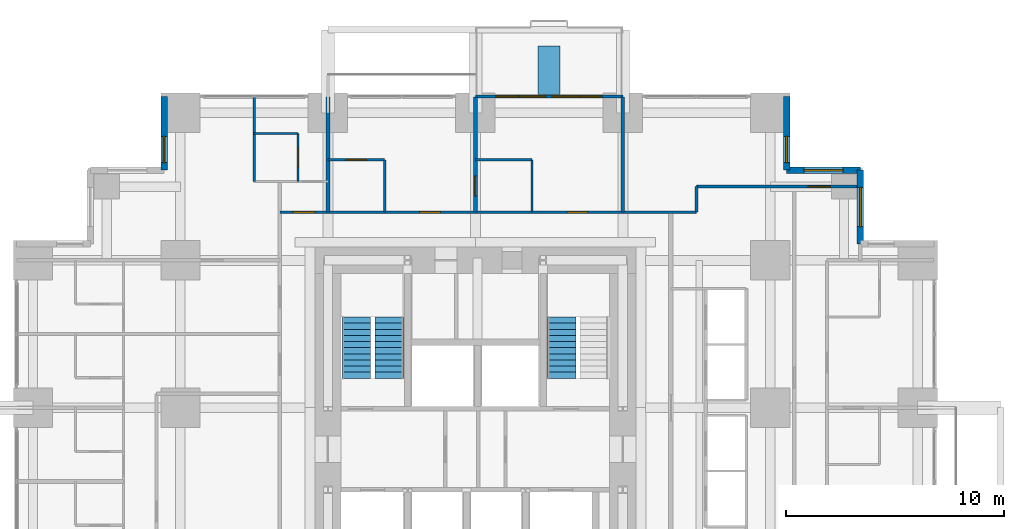
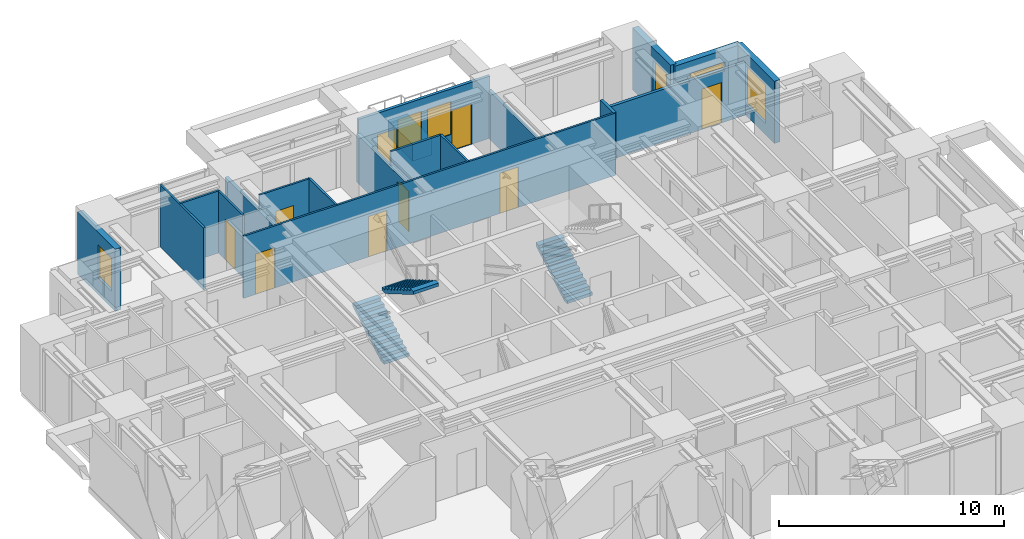
# One storey, part 11 of 13: 19 walls, 9 doors, 6 windows, 3 stair flights, 15 openings, 2 elements without a shape of their own.
"""IFC4 building model written with IfcOpenShell, lengths in metres."""

from ifc_helpers import new_model, si_unit, direction, frame, frame_2d, origin, place, context, subcontext, project, spatial, polyline, rectangle, outline, extrude, material, layer, layer_set, type_object, element, fill, aggregate, save


model = new_model("IFC4")

# Units and contexts
model_context = context("Model", 3, precision=1e-05, world=origin(), true_north=direction((0.0, 1.0)))
body_context = subcontext(model_context, "Body", "Model", "MODEL_VIEW")
ifc_project = project(units=[si_unit("LENGTHUNIT", "METRE"), si_unit("AREAUNIT", "SQUARE_METRE"), si_unit("VOLUMEUNIT", "CUBIC_METRE"), si_unit("PLANEANGLEUNIT", "RADIAN"), si_unit("MASSUNIT", "GRAM", prefix="KILO")], contexts=[model_context])

# Site, building, storey
site_placement = place(None, origin())
site = spatial("IfcSite", under=ifc_project, at=site_placement, CompositionType="ELEMENT")
building_placement = place(site_placement, origin())
building = spatial("IfcBuilding", under=site, at=building_placement, Name="Nyansa Garden Tower", CompositionType="ELEMENT")
storey_placement = place(building_placement, frame((0.0, 0.0, 105.300048828125)))
storey = spatial("IfcBuildingStorey", under=building, at=storey_placement, Name="L28", CompositionType="ELEMENT", Elevation=105.300048828125)

# Wall
ifc_material_1 = material(Name="Dense blockwork, plastered both sides, 55 dB", Category="masonry")
ifc_layer_1 = layer(ifc_material_1, 0.175048828125)
ifc_layer_set_1 = layer_set([ifc_layer_1], Name="Acoustic party wall PW175")
wall_type_1 = type_object("IfcWallType", Name="Acoustic party wall PW175", PredefinedType="PARTITIONING", material=ifc_layer_set_1)
wall_1_placement = place(storey_placement, frame((13.5, 29.199951171875, 0.0), z_axis=(0.0, 0.0, 1.0), x_axis=(0.0, 1.0, 0.0)))
element("IfcWall", 1, at=wall_1_placement, inside=storey, type_object=wall_type_1, Name="Party wall", PredefinedType="PARTITIONING", context=body_context, shape_type="SweptSolid", body=[
    extrude(rectangle(XDim=5.283935546875, YDim=0.175048828125, at=frame_2d((2.64208984375, 0.0))), origin(), (0.0, 0.0, 1.0), 2.60986328125),
])

# Wall, opening, door
wall_2_placement = place(storey_placement, frame((20.25, 29.199951171875, 0.0), z_axis=(0.0, 0.0, 1.0), x_axis=(0.0, 1.0, 0.0)))
wall_2 = element("IfcWall", 2, at=wall_2_placement, inside=storey, type_object=wall_type_1, Name="Party wall", PredefinedType="PARTITIONING", context=body_context, shape_type="SweptSolid", body=[
    extrude(rectangle(XDim=5.283935546875, YDim=0.175048828125, at=frame_2d((2.64208984375, 0.0))), origin(), (0.0, 0.0, 1.0), 2.60986328125),
])
opening_1_placement = place(wall_2_placement, frame((0.75, 0.0, 0.0)))
opening_1 = element("IfcOpeningElement", 3, at=opening_1_placement, cuts=wall_2, Name="Opening D02", PredefinedType="OPENING", context=body_context, shape_type="SweptSolid", body=[
    extrude(rectangle(XDim=0.89990234375, YDim=2.199951171875, at=frame_2d((0.449951171875, 1.10009765625))), frame((0.0, 0.097412109375, 0.0), z_axis=(0.0, -1.0, 0.0), x_axis=(1.0, 0.0, 0.0)), (0.0, 0.0, 1.0), 0.195068359375),
])
ifc_material_2 = material(Name="Timber flush door", Category="wood")
door_type_1 = type_object("IfcDoorType", Name="En-suite door D02 900x2200", OperationType="SINGLE_SWING_RIGHT", PredefinedType="DOOR", material=ifc_material_2)
door_1_placement = place(opening_1_placement, origin())
door_1 = element("IfcDoor", 4, at=door_1_placement, inside=storey, type_object=door_type_1, Name="Door L28-052", OperationType="SINGLE_SWING_RIGHT", OverallHeight=2.199951171875, OverallWidth=0.89990234375, PredefinedType="DOOR", context=body_context, shape_type="SweptSolid", body=[
    extrude(rectangle(XDim=0.89990234375, YDim=2.199951171875, at=frame_2d((0.449951171875, 1.10009765625))), frame((0.0, 0.02490234375, 0.0), z_axis=(0.0, -1.0, 0.0), x_axis=(1.0, 0.0, 0.0)), (0.0, 0.0, 1.0), 0.050048828125),
])
fill(opening_1, door_1)

# Wall, openings, doors, windows
ifc_material_3 = material(Name="Black aluminium framed glazed screen", Category="aluminium")
ifc_layer_2 = layer(ifc_material_3, 0.14990234375)
ifc_layer_set_2 = layer_set([ifc_layer_2], Name="Balcony screen wall BW150")
wall_type_2 = type_object("IfcWallType", Name="Balcony screen wall BW150", PredefinedType="SOLIDWALL", material=ifc_layer_set_2)
wall_3_placement = place(storey_placement, frame((20.25, 34.5, 0.0), z_axis=(0.0, 0.0, 1.0), x_axis=(1.0, 0.0, 0.0)))
wall_3 = element("IfcWall", 5, at=wall_3_placement, inside=storey, type_object=wall_type_2, Name="Glazed screen wall L28 N", PredefinedType="SOLIDWALL", context=body_context, shape_type="SweptSolid", body=[
    extrude(rectangle(XDim=6.75, YDim=0.14990234375, at=frame_2d((3.375, 0.0))), origin(), (0.0, 0.0, 1.0), 3.375),
])
opening_2_placement = place(wall_3_placement, frame((0.96240234375, 0.0, 0.0)))
opening_2 = element("IfcOpeningElement", 6, at=opening_2_placement, cuts=wall_3, Name="Opening D20", PredefinedType="OPENING", context=body_context, shape_type="SweptSolid", body=[
    extrude(rectangle(XDim=1.0, YDim=2.199951171875, at=frame_2d((0.5, 1.10009765625))), frame((0.0, 0.0849609375, 0.0), z_axis=(0.0, -1.0, 0.0), x_axis=(1.0, 0.0, 0.0)), (0.0, 0.0, 1.0), 0.169921875),
])
opening_3_placement = place(wall_3_placement, frame((2.02490234375, 0.0, 0.89990234375)))
opening_3 = element("IfcOpeningElement", 7, at=opening_3_placement, cuts=wall_3, Name="Opening W6", PredefinedType="OPENING", context=body_context, shape_type="SweptSolid", body=[
    extrude(rectangle(XDim=1.199951171875, YDim=1.800048828125, at=frame_2d((0.60009765625, 0.89990234375))), frame((0.0, 0.0849609375, 0.0), z_axis=(0.0, -1.0, 0.0), x_axis=(1.0, 0.0, 0.0)), (0.0, 0.0, 1.0), 0.169921875),
])
opening_4_placement = place(wall_3_placement, frame((4.78759765625, 0.0, 0.0)))
opening_4 = element("IfcOpeningElement", 8, at=opening_4_placement, cuts=wall_3, Name="Opening D20", PredefinedType="OPENING", context=body_context, shape_type="SweptSolid", body=[
    extrude(rectangle(XDim=1.0, YDim=2.199951171875, at=frame_2d((0.5, 1.10009765625))), frame((0.0, 0.0849609375, 0.0), z_axis=(0.0, -1.0, 0.0), x_axis=(1.0, 0.0, 0.0)), (0.0, 0.0, 1.0), 0.169921875),
])
opening_5_placement = place(wall_3_placement, frame((3.52490234375, 0.0, 0.89990234375)))
opening_5 = element("IfcOpeningElement", 9, at=opening_5_placement, cuts=wall_3, Name="Opening W6", PredefinedType="OPENING", context=body_context, shape_type="SweptSolid", body=[
    extrude(rectangle(XDim=1.199951171875, YDim=1.800048828125, at=frame_2d((0.60009765625, 0.89990234375))), frame((0.0, 0.0849609375, 0.0), z_axis=(0.0, -1.0, 0.0), x_axis=(1.0, 0.0, 0.0)), (0.0, 0.0, 1.0), 0.169921875),
])
ifc_material_4 = material(Name="Black aluminium framed glazed door", Category="aluminium")
door_type_2 = type_object("IfcDoorType", Name="Balcony door D20 1000x2200", OperationType="NOTDEFINED", PredefinedType="DOOR", material=ifc_material_4)
door_2_placement = place(opening_2_placement, origin())
door_2 = element("IfcDoor", 10, at=door_2_placement, inside=storey, type_object=door_type_2, Name="Balcony door L28", OperationType="SINGLE_SWING_LEFT", OverallHeight=2.199951171875, OverallWidth=1.0, PredefinedType="DOOR", context=body_context, shape_type="SweptSolid", body=[
    extrude(rectangle(XDim=1.0, YDim=2.199951171875, at=frame_2d((0.5, 1.10009765625))), frame((0.0, 0.02490234375, 0.0), z_axis=(0.0, -1.0, 0.0), x_axis=(1.0, 0.0, 0.0)), (0.0, 0.0, 1.0), 0.050048828125),
])
fill(opening_2, door_2)
door_3_placement = place(opening_4_placement, origin())
door_3 = element("IfcDoor", 11, at=door_3_placement, inside=storey, type_object=door_type_2, Name="Balcony door L28", OperationType="SINGLE_SWING_RIGHT", OverallHeight=2.199951171875, OverallWidth=1.0, PredefinedType="DOOR", context=body_context, shape_type="SweptSolid", body=[
    extrude(rectangle(XDim=1.0, YDim=2.199951171875, at=frame_2d((0.5, 1.10009765625))), frame((0.0, 0.02490234375, 0.0), z_axis=(0.0, -1.0, 0.0), x_axis=(1.0, 0.0, 0.0)), (0.0, 0.0, 1.0), 0.050048828125),
])
fill(opening_4, door_3)
ifc_material_5 = material(Name="Black aluminium frame, dark tinted double glazing", Category="aluminium")
window_type_1 = type_object("IfcWindowType", Name="Balcony window W6 1200x1800", PartitioningType="SINGLE_PANEL", PredefinedType="WINDOW", material=ifc_material_5)
window_1_placement = place(opening_3_placement, origin())
window_1 = element("IfcWindow", 12, at=window_1_placement, inside=storey, type_object=window_type_1, Name="Window L28", OverallHeight=1.800048828125, OverallWidth=1.199951171875, PartitioningType="SINGLE_PANEL", PredefinedType="WINDOW", context=body_context, shape_type="SweptSolid", body=[
    extrude(rectangle(XDim=1.199951171875, YDim=1.800048828125, at=frame_2d((0.60009765625, 0.89990234375))), frame((0.0, 0.030029296875, 0.0), z_axis=(0.0, -1.0, 0.0), x_axis=(1.0, 0.0, 0.0)), (0.0, 0.0, 1.0), 0.06005859375),
])
fill(opening_3, window_1)
window_2_placement = place(opening_5_placement, origin())
window_2 = element("IfcWindow", 13, at=window_2_placement, inside=storey, type_object=window_type_1, Name="Window L28", OverallHeight=1.800048828125, OverallWidth=1.199951171875, PartitioningType="SINGLE_PANEL", PredefinedType="WINDOW", context=body_context, shape_type="SweptSolid", body=[
    extrude(rectangle(XDim=1.199951171875, YDim=1.800048828125, at=frame_2d((0.60009765625, 0.89990234375))), frame((0.0, 0.030029296875, 0.0), z_axis=(0.0, -1.0, 0.0), x_axis=(1.0, 0.0, 0.0)), (0.0, 0.0, 1.0), 0.06005859375),
])
fill(opening_5, window_2)

# Walls
ifc_material_6 = material(Name="Blockwork, plastered both sides", Category="masonry")
ifc_layer_3 = layer(ifc_material_6, 0.14990234375)
ifc_layer_set_3 = layer_set([ifc_layer_3], Name="Partition PW150")
wall_type_3 = type_object("IfcWallType", Name="Partition PW150", PredefinedType="PARTITIONING", material=ifc_layer_set_3)
wall_4_placement = place(storey_placement, frame((27.0, 29.199951171875, 0.0), z_axis=(0.0, 0.0, 1.0), x_axis=(0.0, 1.0, 0.0)))
element("IfcWall", 14, at=wall_4_placement, inside=storey, type_object=wall_type_3, Name="Partition", PredefinedType="PARTITIONING", context=body_context, shape_type="SweptSolid", body=[
    extrude(rectangle(XDim=5.283935546875, YDim=0.14990234375, at=frame_2d((2.64208984375, 0.0))), origin(), (0.0, 0.0, 1.0), 2.60986328125),
])
wall_5_placement = place(storey_placement, frame((30.375, 29.199951171875, 0.0), z_axis=(0.0, 0.0, 1.0), x_axis=(0.0, 1.0, 0.0)))
element("IfcWall", 15, at=wall_5_placement, inside=storey, type_object=wall_type_3, Name="Partition", PredefinedType="PARTITIONING", context=body_context, shape_type="SweptSolid", body=[
    extrude(rectangle(XDim=1.175048828125, YDim=0.14990234375, at=frame_2d((0.58740234375, 0.0))), origin(), (0.0, 0.0, 1.0), 3.375),
])

# Wall, opening, door
wall_6_placement = place(storey_placement, frame((30.375, 30.375, 0.0), z_axis=(0.0, 0.0, 1.0), x_axis=(1.0, 0.0, 0.0)))
wall_6 = element("IfcWall", 16, at=wall_6_placement, inside=storey, type_object=wall_type_3, Name="Partition", PredefinedType="PARTITIONING", context=body_context, shape_type="SweptSolid", body=[
    extrude(rectangle(XDim=7.35009765625, YDim=0.14990234375, at=frame_2d((3.675048828125, 0.0))), origin(), (0.0, 0.0, 1.0), 2.876953125),
])
opening_6_placement = place(wall_6_placement, frame((5.125, 0.0, 0.0)))
opening_6 = element("IfcOpeningElement", 17, at=opening_6_placement, cuts=wall_6, Name="Opening D03", PredefinedType="OPENING", context=body_context, shape_type="SweptSolid", body=[
    extrude(rectangle(XDim=1.0, YDim=2.199951171875, at=frame_2d((0.5, 1.10009765625))), frame((0.0, 0.0849609375, 0.0), z_axis=(0.0, -1.0, 0.0), x_axis=(1.0, 0.0, 0.0)), (0.0, 0.0, 1.0), 0.169921875),
])
ifc_material_7 = material(Name="Timber flush door, 60 minute fire resisting", Category="wood")
door_type_3 = type_object("IfcDoorType", Name="Cluster entrance door D03 1000x2200", OperationType="SINGLE_SWING_LEFT", PredefinedType="DOOR", material=ifc_material_7)
door_4_placement = place(opening_6_placement, origin())
door_4 = element("IfcDoor", 18, at=door_4_placement, inside=storey, type_object=door_type_3, Name="Door L28-048", OperationType="SINGLE_SWING_LEFT", OverallHeight=2.199951171875, OverallWidth=1.0, PredefinedType="DOOR", context=body_context, shape_type="SweptSolid", body=[
    extrude(rectangle(XDim=1.0, YDim=2.199951171875, at=frame_2d((0.5, 1.10009765625))), frame((0.0, 0.02490234375, 0.0), z_axis=(0.0, -1.0, 0.0), x_axis=(1.0, 0.0, 0.0)), (0.0, 0.0, 1.0), 0.050048828125),
])
fill(opening_6, door_4)

# Wall, opening, window
ifc_material_8 = material(Name="Turquoise glazed tile on concrete blockwork", Category="masonry")
ifc_layer_4 = layer(ifc_material_8, 0.300048828125)
ifc_layer_set_4 = layer_set([ifc_layer_4], Name="Tiled corner wall TW300")
wall_type_4 = type_object("IfcWallType", Name="Tiled corner wall TW300", PredefinedType="SOLIDWALL", material=ifc_layer_set_4)
wall_7_placement = place(storey_placement, frame((37.875, 27.75, 0.0), z_axis=(0.0, 0.0, 1.0), x_axis=(0.0, 1.0, 0.0)))
wall_7 = element("IfcWall", 19, at=wall_7_placement, inside=storey, type_object=wall_type_4, Name="Tiled corner wall L28", PredefinedType="SOLIDWALL", context=body_context, shape_type="SweptSolid", body=[
    extrude(rectangle(XDim=3.375, YDim=0.300048828125, at=frame_2d((1.6875, 0.0))), origin(), (0.0, 0.0, 1.0), 3.375),
])
opening_7_placement = place(wall_7_placement, frame((0.78759765625, 0.0, 0.60009765625)))
opening_7 = element("IfcOpeningElement", 20, at=opening_7_placement, cuts=wall_7, Name="Opening W2", PredefinedType="OPENING", context=body_context, shape_type="SweptSolid", body=[
    extrude(rectangle(XDim=1.800048828125, YDim=2.10009765625, at=frame_2d((0.89990234375, 1.050048828125))), frame((0.0, 0.159912109375, 0.0), z_axis=(0.0, -1.0, 0.0), x_axis=(1.0, 0.0, 0.0)), (0.0, 0.0, 1.0), 0.320068359375),
])
ifc_material_9 = material(Name="Black aluminium frame, dark tinted double glazing", Category="aluminium")
window_type_2 = type_object("IfcWindowType", Name="Window W2 1800x2100", PartitioningType="SINGLE_PANEL", PredefinedType="WINDOW", material=ifc_material_9)
window_3_placement = place(opening_7_placement, origin())
window_3 = element("IfcWindow", 21, at=window_3_placement, inside=storey, type_object=window_type_2, Name="Corner window L28", OverallHeight=2.10009765625, OverallWidth=1.800048828125, PartitioningType="SINGLE_PANEL", PredefinedType="WINDOW", context=body_context, shape_type="SweptSolid", body=[
    extrude(rectangle(XDim=1.800048828125, YDim=2.10009765625, at=frame_2d((0.89990234375, 1.050048828125))), frame((0.0, 0.030029296875, 0.0), z_axis=(0.0, -1.0, 0.0), x_axis=(1.0, 0.0, 0.0)), (0.0, 0.0, 1.0), 0.06005859375),
])
fill(opening_7, window_3)

wall_8_placement = place(storey_placement, frame((37.875, 31.125, 0.0), z_axis=(0.0, 0.0, 1.0), x_axis=(-1.0, 0.0, 0.0)))
wall_8 = element("IfcWall", 22, at=wall_8_placement, inside=storey, type_object=wall_type_4, Name="Tiled corner wall L28", PredefinedType="SOLIDWALL", context=body_context, shape_type="SweptSolid", body=[
    extrude(rectangle(XDim=3.375, YDim=0.300048828125, at=frame_2d((1.6875, 0.0))), origin(), (0.0, 0.0, 1.0), 3.375),
])
opening_8_placement = place(wall_8_placement, frame((0.78759765625, 0.0, 0.60009765625)))
opening_8 = element("IfcOpeningElement", 23, at=opening_8_placement, cuts=wall_8, Name="Opening W2", PredefinedType="OPENING", context=body_context, shape_type="SweptSolid", body=[
    extrude(rectangle(XDim=1.800048828125, YDim=2.10009765625, at=frame_2d((0.89990234375, 1.050048828125))), frame((0.0, 0.159912109375, 0.0), z_axis=(0.0, -1.0, 0.0), x_axis=(1.0, 0.0, 0.0)), (0.0, 0.0, 1.0), 0.320068359375),
])
window_4_placement = place(opening_8_placement, origin())
window_4 = element("IfcWindow", 24, at=window_4_placement, inside=storey, type_object=window_type_2, Name="Corner window L28", OverallHeight=2.10009765625, OverallWidth=1.800048828125, PartitioningType="SINGLE_PANEL", PredefinedType="WINDOW", context=body_context, shape_type="SweptSolid", body=[
    extrude(rectangle(XDim=1.800048828125, YDim=2.10009765625, at=frame_2d((0.89990234375, 1.050048828125))), frame((0.0, 0.030029296875, 0.0), z_axis=(0.0, -1.0, 0.0), x_axis=(1.0, 0.0, 0.0)), (0.0, 0.0, 1.0), 0.06005859375),
])
fill(opening_8, window_4)

wall_9_placement = place(storey_placement, frame((34.5, 31.125, 0.0), z_axis=(0.0, 0.0, 1.0), x_axis=(0.0, 1.0, 0.0)))
wall_9 = element("IfcWall", 25, at=wall_9_placement, inside=storey, type_object=wall_type_4, Name="Tiled corner wall L28", PredefinedType="SOLIDWALL", context=body_context, shape_type="SweptSolid", body=[
    extrude(rectangle(XDim=3.375, YDim=0.300048828125, at=frame_2d((1.6875, 0.0))), origin(), (0.0, 0.0, 1.0), 3.375),
])
opening_9_placement = place(wall_9_placement, frame((0.342529296875, 0.0, 0.89990234375)))
opening_9 = element("IfcOpeningElement", 26, at=opening_9_placement, cuts=wall_9, Name="Opening W4", PredefinedType="OPENING", context=body_context, shape_type="SweptSolid", body=[
    extrude(rectangle(XDim=1.199951171875, YDim=1.800048828125, at=frame_2d((0.60009765625, 0.89990234375))), frame((0.0, 0.159912109375, 0.0), z_axis=(0.0, -1.0, 0.0), x_axis=(1.0, 0.0, 0.0)), (0.0, 0.0, 1.0), 0.320068359375),
])
ifc_material_10 = material(Name="Black aluminium frame, dark tinted double glazing", Category="aluminium")
window_type_3 = type_object("IfcWindowType", Name="Window W4 1200x1800", PartitioningType="SINGLE_PANEL", PredefinedType="WINDOW", material=ifc_material_10)
window_5_placement = place(opening_9_placement, origin())
window_5 = element("IfcWindow", 27, at=window_5_placement, inside=storey, type_object=window_type_3, Name="Corner window L28", OverallHeight=1.800048828125, OverallWidth=1.199951171875, PartitioningType="SINGLE_PANEL", PredefinedType="WINDOW", context=body_context, shape_type="SweptSolid", body=[
    extrude(rectangle(XDim=1.199951171875, YDim=1.800048828125, at=frame_2d((0.60009765625, 0.89990234375))), frame((0.0, 0.030029296875, 0.0), z_axis=(0.0, -1.0, 0.0), x_axis=(1.0, 0.0, 0.0)), (0.0, 0.0, 1.0), 0.06005859375),
])
fill(opening_9, window_5)

wall_10_placement = place(storey_placement, frame((6.0, 34.5, 0.0), z_axis=(0.0, 0.0, 1.0), x_axis=(0.0, -1.0, 0.0)))
wall_10 = element("IfcWall", 28, at=wall_10_placement, inside=storey, type_object=wall_type_4, Name="Tiled corner wall L28", PredefinedType="SOLIDWALL", context=body_context, shape_type="SweptSolid", body=[
    extrude(rectangle(XDim=3.375, YDim=0.300048828125, at=frame_2d((1.6875, 0.0))), origin(), (0.0, 0.0, 1.0), 3.375),
])
opening_10_placement = place(wall_10_placement, frame((1.83251953125, 0.0, 0.89990234375)))
opening_10 = element("IfcOpeningElement", 29, at=opening_10_placement, cuts=wall_10, Name="Opening W4", PredefinedType="OPENING", context=body_context, shape_type="SweptSolid", body=[
    extrude(rectangle(XDim=1.199951171875, YDim=1.800048828125, at=frame_2d((0.60009765625, 0.89990234375))), frame((0.0, 0.159912109375, 0.0), z_axis=(0.0, -1.0, 0.0), x_axis=(1.0, 0.0, 0.0)), (0.0, 0.0, 1.0), 0.320068359375),
])
window_6_placement = place(opening_10_placement, origin())
window_6 = element("IfcWindow", 30, at=window_6_placement, inside=storey, type_object=window_type_3, Name="Corner window L28", OverallHeight=1.800048828125, OverallWidth=1.199951171875, PartitioningType="SINGLE_PANEL", PredefinedType="WINDOW", context=body_context, shape_type="SweptSolid", body=[
    extrude(rectangle(XDim=1.199951171875, YDim=1.800048828125, at=frame_2d((0.60009765625, 0.89990234375))), frame((0.0, 0.030029296875, 0.0), z_axis=(0.0, -1.0, 0.0), x_axis=(1.0, 0.0, 0.0)), (0.0, 0.0, 1.0), 0.06005859375),
])
fill(opening_10, window_6)

# Walls
ifc_material_11 = material(Name="Concrete C40/50 planter, waterproofed", Category="concrete")
ifc_layer_5 = layer(ifc_material_11, 1.0)
ifc_layer_set_5 = layer_set([ifc_layer_5], Name="Tree planter TP1")
wall_type_5 = type_object("IfcWallType", Name="Tree planter TP1", PredefinedType="USERDEFINED", material=ifc_layer_set_5)
wall_11_placement = place(storey_placement, frame((23.625, 34.60009765625, 0.0), z_axis=(0.0, 0.0, 1.0), x_axis=(0.0, 1.0, 0.0)))
element("IfcWall", 31, at=wall_11_placement, inside=storey, type_object=wall_type_5, Name="Tree planter L28", ObjectType="TREE PLANTER", PredefinedType="USERDEFINED", context=body_context, shape_type="SweptSolid", body=[
    extrude(rectangle(XDim=2.199951171875, YDim=1.0, at=frame_2d((1.10009765625, 0.0))), origin(), (0.0, 0.0, 1.0), 0.89990234375),
])
ifc_material_12 = material(Name="Moisture resistant board on steel studs, tiled", Category="steel")
ifc_layer_6 = layer(ifc_material_12, 0.10009765625)
ifc_layer_set_6 = layer_set([ifc_layer_6], Name="Wet wall PW100")
wall_type_6 = type_object("IfcWallType", Name="Wet wall PW100", PredefinedType="PARTITIONING", material=ifc_layer_set_6)
wall_12_placement = place(storey_placement, frame((10.125, 30.60009765625, 0.0), z_axis=(0.0, 0.0, 1.0), x_axis=(0.0, 1.0, 0.0)))
element("IfcWall", 32, at=wall_12_placement, inside=storey, type_object=wall_type_6, Name="Wet wall", PredefinedType="PARTITIONING", context=body_context, shape_type="SweptSolid", body=[
    extrude(rectangle(XDim=3.8837890625, YDim=0.10009765625, at=frame_2d((1.94189453125, 0.0))), origin(), (0.0, 0.0, 1.0), 3.375),
])
wall_13_placement = place(storey_placement, frame((10.125, 32.800048828125, 0.0), z_axis=(0.0, 0.0, 1.0), x_axis=(1.0, 0.0, 0.0)))
element("IfcWall", 33, at=wall_13_placement, inside=storey, type_object=wall_type_6, Name="Wet wall", PredefinedType="PARTITIONING", context=body_context, shape_type="SweptSolid", body=[
    extrude(rectangle(XDim=2.0, YDim=0.10009765625, at=frame_2d((1.0, 0.0))), origin(), (0.0, 0.0, 1.0), 3.375),
])

# Wall, openings, doors
wall_14_placement = place(storey_placement, frame((11.300048828125, 29.199951171875, 0.0), z_axis=(0.0, 0.0, 1.0), x_axis=(1.0, 0.0, 0.0)))
wall_14 = element("IfcWall", 34, at=wall_14_placement, inside=storey, type_object=wall_type_6, Name="Wet wall", PredefinedType="PARTITIONING", context=body_context, shape_type="SweptSolid", body=[
    extrude(rectangle(XDim=19.074951171875, YDim=0.10009765625, at=frame_2d((9.53759765625, 0.0))), origin(), (0.0, 0.0, 1.0), 3.375),
])
opening_11_placement = place(wall_14_placement, frame((6.39990234375, 0.0, 0.0)))
opening_11 = element("IfcOpeningElement", 35, at=opening_11_placement, cuts=wall_14, Name="Opening D14", PredefinedType="OPENING", context=body_context, shape_type="SweptSolid", body=[
    extrude(rectangle(XDim=0.949951171875, YDim=2.199951171875, at=frame_2d((0.47509765625, 1.10009765625))), frame((0.0, 0.06005859375, 0.0), z_axis=(0.0, -1.0, 0.0), x_axis=(1.0, 0.0, 0.0)), (0.0, 0.0, 1.0), 0.1201171875),
])
opening_12_placement = place(wall_14_placement, frame((13.14990234375, 0.0, 0.0)))
opening_12 = element("IfcOpeningElement", 36, at=opening_12_placement, cuts=wall_14, Name="Opening D14", PredefinedType="OPENING", context=body_context, shape_type="SweptSolid", body=[
    extrude(rectangle(XDim=0.949951171875, YDim=2.199951171875, at=frame_2d((0.47509765625, 1.10009765625))), frame((0.0, 0.06005859375, 0.0), z_axis=(0.0, -1.0, 0.0), x_axis=(1.0, 0.0, 0.0)), (0.0, 0.0, 1.0), 0.1201171875),
])
opening_13_placement = place(wall_14_placement, frame((0.60009765625, 0.0, 0.0)))
opening_13 = element("IfcOpeningElement", 37, at=opening_13_placement, cuts=wall_14, Name="Opening D03", PredefinedType="OPENING", context=body_context, shape_type="SweptSolid", body=[
    extrude(rectangle(XDim=1.0, YDim=2.199951171875, at=frame_2d((0.5, 1.10009765625))), frame((0.0, 0.06005859375, 0.0), z_axis=(0.0, -1.0, 0.0), x_axis=(1.0, 0.0, 0.0)), (0.0, 0.0, 1.0), 0.1201171875),
])
door_5_placement = place(opening_13_placement, origin())
door_5 = element("IfcDoor", 38, at=door_5_placement, inside=storey, type_object=door_type_3, Name="Door L28-055", OperationType="SINGLE_SWING_LEFT", OverallHeight=2.199951171875, OverallWidth=1.0, PredefinedType="DOOR", context=body_context, shape_type="SweptSolid", body=[
    extrude(rectangle(XDim=1.0, YDim=2.199951171875, at=frame_2d((0.5, 1.10009765625))), frame((0.0, 0.02490234375, 0.0), z_axis=(0.0, -1.0, 0.0), x_axis=(1.0, 0.0, 0.0)), (0.0, 0.0, 1.0), 0.050048828125),
])
fill(opening_13, door_5)
ifc_material_13 = material(Name="Timber flush door, 60 minute fire resisting, self-closing", Category="wood")
door_type_4 = type_object("IfcDoorType", Name="Studio entrance door D14 950x2200", OperationType="SINGLE_SWING_LEFT", PredefinedType="DOOR", material=ifc_material_13)
door_6_placement = place(opening_11_placement, origin())
door_6 = element("IfcDoor", 39, at=door_6_placement, inside=storey, type_object=door_type_4, Name="Door L28-049", OperationType="SINGLE_SWING_LEFT", OverallHeight=2.199951171875, OverallWidth=0.949951171875, PredefinedType="DOOR", context=body_context, shape_type="SweptSolid", body=[
    extrude(rectangle(XDim=0.949951171875, YDim=2.199951171875, at=frame_2d((0.47509765625, 1.10009765625))), frame((0.0, 0.02490234375, 0.0), z_axis=(0.0, -1.0, 0.0), x_axis=(1.0, 0.0, 0.0)), (0.0, 0.0, 1.0), 0.050048828125),
])
fill(opening_11, door_6)
door_7_placement = place(opening_12_placement, origin())
door_7 = element("IfcDoor", 40, at=door_7_placement, inside=storey, type_object=door_type_4, Name="Door L28-051", OperationType="SINGLE_SWING_LEFT", OverallHeight=2.199951171875, OverallWidth=0.949951171875, PredefinedType="DOOR", context=body_context, shape_type="SweptSolid", body=[
    extrude(rectangle(XDim=0.949951171875, YDim=2.199951171875, at=frame_2d((0.47509765625, 1.10009765625))), frame((0.0, 0.02490234375, 0.0), z_axis=(0.0, -1.0, 0.0), x_axis=(1.0, 0.0, 0.0)), (0.0, 0.0, 1.0), 0.050048828125),
])
fill(opening_12, door_7)

# Wall, opening, door
wall_15_placement = place(storey_placement, frame((12.125, 30.60009765625, 0.0), z_axis=(0.0, 0.0, 1.0), x_axis=(0.0, 1.0, 0.0)))
wall_15 = element("IfcWall", 41, at=wall_15_placement, inside=storey, type_object=wall_type_6, Name="Wet wall", PredefinedType="PARTITIONING", context=body_context, shape_type="SweptSolid", body=[
    extrude(rectangle(XDim=2.199951171875, YDim=0.10009765625, at=frame_2d((1.10009765625, 0.0))), origin(), (0.0, 0.0, 1.0), 3.375),
])
opening_14_placement = place(wall_15_placement, frame((0.64990234375, 0.0, 0.0)))
opening_14 = element("IfcOpeningElement", 42, at=opening_14_placement, cuts=wall_15, Name="Opening D02", PredefinedType="OPENING", context=body_context, shape_type="SweptSolid", body=[
    extrude(rectangle(XDim=0.89990234375, YDim=2.199951171875, at=frame_2d((0.449951171875, 1.10009765625))), frame((0.0, 0.06005859375, 0.0), z_axis=(0.0, -1.0, 0.0), x_axis=(1.0, 0.0, 0.0)), (0.0, 0.0, 1.0), 0.1201171875),
])
door_8_placement = place(opening_14_placement, origin())
door_8 = element("IfcDoor", 43, at=door_8_placement, inside=storey, type_object=door_type_1, Name="Door L28-054", OperationType="SINGLE_SWING_RIGHT", OverallHeight=2.199951171875, OverallWidth=0.89990234375, PredefinedType="DOOR", context=body_context, shape_type="SweptSolid", body=[
    extrude(rectangle(XDim=0.89990234375, YDim=2.199951171875, at=frame_2d((0.449951171875, 1.10009765625))), frame((0.0, 0.02490234375, 0.0), z_axis=(0.0, -1.0, 0.0), x_axis=(1.0, 0.0, 0.0)), (0.0, 0.0, 1.0), 0.050048828125),
])
fill(opening_14, door_8)

wall_16_placement = place(storey_placement, frame((13.5, 31.60009765625, 0.0), z_axis=(0.0, 0.0, 1.0), x_axis=(1.0, 0.0, 0.0)))
wall_16 = element("IfcWall", 44, at=wall_16_placement, inside=storey, type_object=wall_type_6, Name="Wet wall", PredefinedType="PARTITIONING", context=body_context, shape_type="SweptSolid", body=[
    extrude(rectangle(XDim=2.60009765625, YDim=0.10009765625, at=frame_2d((1.300048828125, 0.0))), origin(), (0.0, 0.0, 1.0), 3.375),
])
opening_15_placement = place(wall_16_placement, frame((0.85009765625, 0.0, 0.0)))
opening_15 = element("IfcOpeningElement", 45, at=opening_15_placement, cuts=wall_16, Name="Opening D02", PredefinedType="OPENING", context=body_context, shape_type="SweptSolid", body=[
    extrude(rectangle(XDim=0.89990234375, YDim=2.199951171875, at=frame_2d((0.449951171875, 1.10009765625))), frame((0.0, 0.06005859375, 0.0), z_axis=(0.0, -1.0, 0.0), x_axis=(1.0, 0.0, 0.0)), (0.0, 0.0, 1.0), 0.1201171875),
])
door_9_placement = place(opening_15_placement, origin())
door_9 = element("IfcDoor", 46, at=door_9_placement, inside=storey, type_object=door_type_1, Name="Door L28-050", OperationType="SINGLE_SWING_RIGHT", OverallHeight=2.199951171875, OverallWidth=0.89990234375, PredefinedType="DOOR", context=body_context, shape_type="SweptSolid", body=[
    extrude(rectangle(XDim=0.89990234375, YDim=2.199951171875, at=frame_2d((0.449951171875, 1.10009765625))), frame((0.0, 0.02490234375, 0.0), z_axis=(0.0, -1.0, 0.0), x_axis=(1.0, 0.0, 0.0)), (0.0, 0.0, 1.0), 0.050048828125),
])
fill(opening_15, door_9)

# Walls
wall_17_placement = place(storey_placement, frame((16.10009765625, 29.199951171875, 0.0), z_axis=(0.0, 0.0, 1.0), x_axis=(0.0, 1.0, 0.0)))
element("IfcWall", 47, at=wall_17_placement, inside=storey, type_object=wall_type_6, Name="Wet wall", PredefinedType="PARTITIONING", context=body_context, shape_type="SweptSolid", body=[
    extrude(rectangle(XDim=2.400146484375, YDim=0.10009765625, at=frame_2d((1.2001953125, 0.0))), origin(), (0.0, 0.0, 1.0), 3.375),
])
wall_18_placement = place(storey_placement, frame((20.25, 31.60009765625, 0.0), z_axis=(0.0, 0.0, 1.0), x_axis=(1.0, 0.0, 0.0)))
element("IfcWall", 48, at=wall_18_placement, inside=storey, type_object=wall_type_6, Name="Wet wall", PredefinedType="PARTITIONING", context=body_context, shape_type="SweptSolid", body=[
    extrude(rectangle(XDim=2.60009765625, YDim=0.10009765625, at=frame_2d((1.300048828125, 0.0))), origin(), (0.0, 0.0, 1.0), 3.375),
])
wall_19_placement = place(storey_placement, frame((22.85009765625, 29.199951171875, 0.0), z_axis=(0.0, 0.0, 1.0), x_axis=(0.0, 1.0, 0.0)))
element("IfcWall", 49, at=wall_19_placement, inside=storey, type_object=wall_type_6, Name="Wet wall", PredefinedType="PARTITIONING", context=body_context, shape_type="SweptSolid", body=[
    extrude(rectangle(XDim=2.400146484375, YDim=0.10009765625, at=frame_2d((1.2001953125, 0.0))), origin(), (0.0, 0.0, 1.0), 3.375),
])

# Stair, stair flights
ifc_material_14 = material(Name="Precast concrete C40/50", Category="concrete")
stair_type_1 = type_object("IfcStairType", Name="Stair S1 164x280", PredefinedType="HALF_TURN_STAIR", material=ifc_material_14)
stair_1_placement = place(storey_placement, origin())
stair_1 = element("IfcStair", 50, at=stair_1_placement, inside=storey, type_object=stair_type_1, Name="Stair S1 L28", PredefinedType="HALF_TURN_STAIR")
ifc_material_15 = material(Name="Precast concrete C40/50", Category="concrete")
stair_flight_type_1 = type_object("IfcStairFlightType", Name="Stair flight S1 164x280x11", PredefinedType="STRAIGHT", material=ifc_material_15)
stair_flight_1_placement = place(storey_placement, frame((14.800048828125, 21.60009765625, 0.0), z_axis=(0.0, 0.0, 1.0), x_axis=(0.0, 1.0, 0.0)))
stair_flight_1 = element("IfcStairFlight", 51, at=stair_flight_1_placement, type_object=stair_flight_type_1, Name="S1 flight 1", NumberOfRisers=11, NumberOfTreads=10, PredefinedType="STRAIGHT", RiserHeight=0.163636364, TreadLength=0.28, context=body_context, shape_type="SweptSolid", body=[
    extrude(outline(polyline([(0.0, 0.0), (0.0, 0.16357421875), (0.280029296875, 0.16357421875), (0.280029296875, 0.327392578125), (0.56005859375, 0.327392578125), (0.56005859375, 0.490966796875), (0.840087890625, 0.490966796875), (0.840087890625, 0.654541015625), (1.1201171875, 0.654541015625), (1.1201171875, 0.818115234375), (1.39990234375, 0.818115234375), (1.39990234375, 0.98193359375), (1.679931640625, 0.98193359375), (1.679931640625, 1.1455078125), (1.9599609375, 1.1455078125), (1.9599609375, 1.30908203125), (2.239990234375, 1.30908203125), (2.239990234375, 1.47265625), (2.52001953125, 1.47265625), (2.52001953125, 1.636474609375), (2.800048828125, 1.636474609375), (2.800048828125, 1.800048828125), (2.800048828125, 1.462646484375), (0.297119140625, 0.0), (0.0, 0.0)])), frame((0.0, 0.64990234375, 0.0), z_axis=(0.0, -1.0, 0.0), x_axis=(1.0, 0.0, 0.0)), (0.0, 0.0, 1.0), 1.300048828125),
])
stair_flight_2_placement = place(storey_placement, frame((16.300048828125, 24.39990234375, 1.800048828125), z_axis=(0.0, 0.0, 1.0), x_axis=(0.0, -1.0, 0.0)))
stair_flight_2 = element("IfcStairFlight", 52, at=stair_flight_2_placement, type_object=stair_flight_type_1, Name="S1 flight 2", NumberOfRisers=11, NumberOfTreads=10, PredefinedType="STRAIGHT", RiserHeight=0.163636364, TreadLength=0.28, context=body_context, shape_type="SweptSolid", body=[
    extrude(outline(polyline([(0.0, 0.0), (0.0, 0.16357421875), (0.280029296875, 0.16357421875), (0.280029296875, 0.327392578125), (0.56005859375, 0.327392578125), (0.56005859375, 0.490966796875), (0.840087890625, 0.490966796875), (0.840087890625, 0.654541015625), (1.1201171875, 0.654541015625), (1.1201171875, 0.818115234375), (1.39990234375, 0.818115234375), (1.39990234375, 0.98193359375), (1.679931640625, 0.98193359375), (1.679931640625, 1.1455078125), (1.9599609375, 1.1455078125), (1.9599609375, 1.30908203125), (2.239990234375, 1.30908203125), (2.239990234375, 1.47265625), (2.52001953125, 1.47265625), (2.52001953125, 1.636474609375), (2.800048828125, 1.636474609375), (2.800048828125, 1.800048828125), (2.800048828125, 1.462646484375), (0.297119140625, 0.0), (0.0, 0.0)])), frame((0.0, 0.64990234375, 0.0), z_axis=(0.0, -1.0, 0.0), x_axis=(1.0, 0.0, 0.0)), (0.0, 0.0, 1.0), 1.300048828125),
])
aggregate(stair_1, [stair_flight_1, stair_flight_2])

# Stair, stair flight
ifc_material_16 = material(Name="Precast concrete C40/50", Category="concrete")
stair_type_2 = type_object("IfcStairType", Name="Stair S2 164x280", PredefinedType="HALF_TURN_STAIR", material=ifc_material_16)
stair_2_placement = place(storey_placement, origin())
stair_2 = element("IfcStair", 53, at=stair_2_placement, inside=storey, type_object=stair_type_2, Name="Stair S2 L28", PredefinedType="HALF_TURN_STAIR")
ifc_material_17 = material(Name="Precast concrete C40/50", Category="concrete")
stair_flight_type_2 = type_object("IfcStairFlightType", Name="Stair flight S2 164x280x11", PredefinedType="STRAIGHT", material=ifc_material_17)
stair_flight_3_placement = place(storey_placement, frame((24.199951171875, 21.60009765625, 0.0), z_axis=(0.0, 0.0, 1.0), x_axis=(0.0, 1.0, 0.0)))
stair_flight_3 = element("IfcStairFlight", 54, at=stair_flight_3_placement, type_object=stair_flight_type_2, Name="S2 flight 1", NumberOfRisers=11, NumberOfTreads=10, PredefinedType="STRAIGHT", RiserHeight=0.163636364, TreadLength=0.28, context=body_context, shape_type="SweptSolid", body=[
    extrude(outline(polyline([(0.0, 0.0), (0.0, 0.16357421875), (0.280029296875, 0.16357421875), (0.280029296875, 0.327392578125), (0.56005859375, 0.327392578125), (0.56005859375, 0.490966796875), (0.840087890625, 0.490966796875), (0.840087890625, 0.654541015625), (1.1201171875, 0.654541015625), (1.1201171875, 0.818115234375), (1.39990234375, 0.818115234375), (1.39990234375, 0.98193359375), (1.679931640625, 0.98193359375), (1.679931640625, 1.1455078125), (1.9599609375, 1.1455078125), (1.9599609375, 1.30908203125), (2.239990234375, 1.30908203125), (2.239990234375, 1.47265625), (2.52001953125, 1.47265625), (2.52001953125, 1.636474609375), (2.800048828125, 1.636474609375), (2.800048828125, 1.800048828125), (2.800048828125, 1.462646484375), (0.297119140625, 0.0), (0.0, 0.0)])), frame((0.0, 0.64990234375, 0.0), z_axis=(0.0, -1.0, 0.0), x_axis=(1.0, 0.0, 0.0)), (0.0, 0.0, 1.0), 1.300048828125),
])
aggregate(stair_2, [stair_flight_3])

save(model, "model.ifc")
